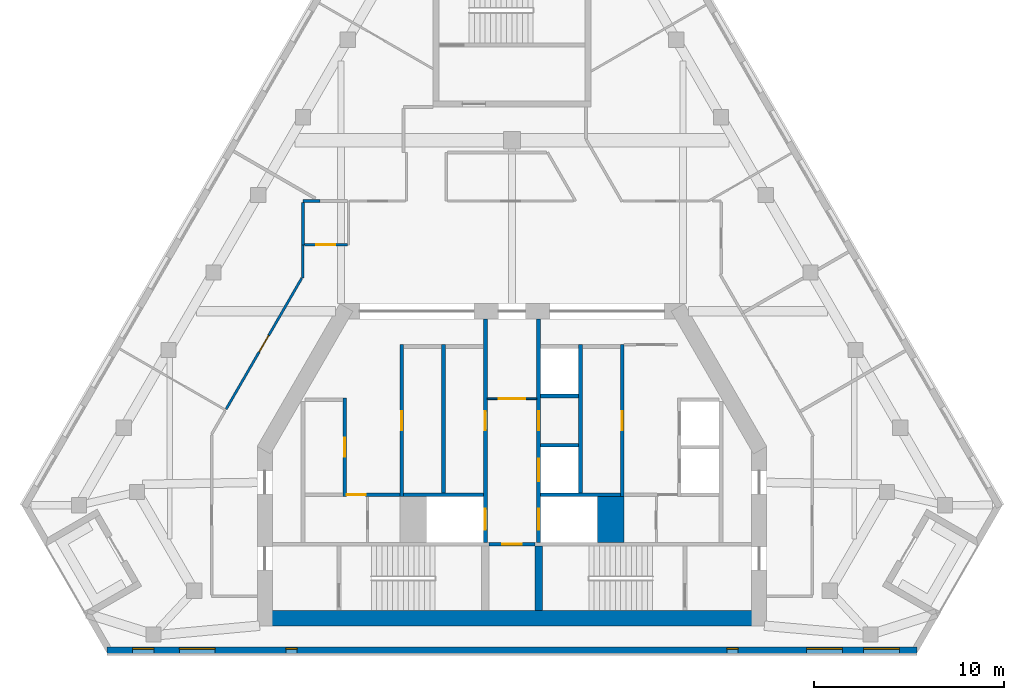
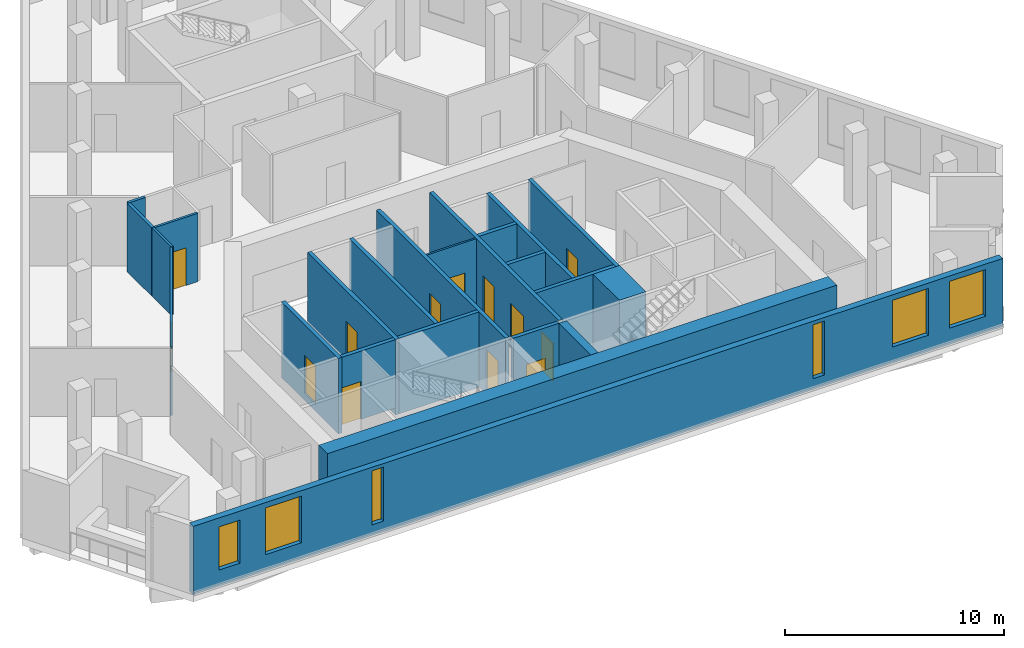
# One storey, part 3 of 8: 23 walls, 13 doors, 6 windows, 19 openings.
"""IFC4 building model written with IfcOpenShell, lengths in metres."""

import ifcopenshell
import ifcopenshell.guid

model = None  # the IFC model being written
_history = None  # IfcOwnerHistory: only IFC2X3 demands one
_inside = {}  # id of a spatial element -> (the spatial element, [elements in it])
_under = {}  # id of a project, library or spatial element -> (it, [spatial elements below it])
_declared = {}  # id of a project -> (the project, [libraries it declares])
_typed = {}  # id of a type object -> (the type object, [elements of that type])
_made_of = {}  # id of a material, layer set ... -> (it, [elements and type objects made of it])


def new_model(schema):
    """Start an empty IFC model of exactly this schema.

    Asked for "IFC4X3", IfcOpenShell would pick the latest addendum, in which some entities
    have other attributes; the version numbers below select the first issue.
    IFC2X3 requires an IfcOwnerHistory on every rooted entity: one is made here for all.
    """
    global model, _history
    if schema == "IFC4X3":
        model = ifcopenshell.file(schema_version=(4, 3, 0, 0))
    else:
        model = ifcopenshell.file(schema=schema)
    _inside.clear()
    _under.clear()
    _declared.clear()
    _typed.clear()
    _made_of.clear()
    _history = None
    if model.schema == "IFC2X3":
        org = make("IfcOrganization", Name="unknown")
        user = make(
            "IfcPersonAndOrganization",
            ThePerson=make("IfcPerson", FamilyName="unknown"),
            TheOrganization=org,
        )
        app = make(
            "IfcApplication",
            ApplicationDeveloper=org,
            Version="unknown",
            ApplicationFullName="unknown",
            ApplicationIdentifier="unknown",
        )
        _history = make(
            "IfcOwnerHistory",
            OwningUser=user,
            OwningApplication=app,
            ChangeAction="ADDED",
            CreationDate=0,
        )
    return model


def make(cls, **values):
    """One entity of the class cls with the attributes given. An attribute that is None is left unset."""
    return model.create_entity(
        cls, **{name: value for name, value in values.items() if value is not None}
    )


def rooted(cls, **values):
    """An entity with a GlobalId (a new one), such as an element, a storey or a relation."""
    return make(cls, GlobalId=ifcopenshell.guid.new(), OwnerHistory=_history, **values)


def si_unit(unit_type, name, prefix=None):
    """IfcSIUnit, for example si_unit("LENGTHUNIT", "METRE", prefix="MILLI")."""
    return make("IfcSIUnit", UnitType=unit_type, Prefix=prefix, Name=name)


def assignment(units):
    """IfcUnitAssignment: the units of a project."""
    return None if units is None else make("IfcUnitAssignment", Units=units)


def point(xyz):
    """IfcCartesianPoint."""
    return None if xyz is None else make("IfcCartesianPoint", Coordinates=xyz)


def direction(xyz):
    """IfcDirection."""
    return None if xyz is None else make("IfcDirection", DirectionRatios=xyz)


def frame(location, z_axis=None, x_axis=None):
    """IfcAxis2Placement3D, a coordinate frame: its origin and axes. An axis left out is left unset."""
    return make(
        "IfcAxis2Placement3D",
        Location=point(location),
        Axis=direction(z_axis),
        RefDirection=direction(x_axis),
    )


def frame_2d(location, x_axis=None):
    """IfcAxis2Placement2D, a coordinate frame in the plane: its origin and x axis."""
    return make(
        "IfcAxis2Placement2D", Location=point(location), RefDirection=direction(x_axis)
    )


def origin():
    """The frame at (0, 0, 0) with its axes left unset."""
    return frame((0.0, 0.0, 0.0))


def place(relative_to, where):
    """IfcLocalPlacement: puts the frame where relative to a parent placement (None: the world)."""
    return make(
        "IfcLocalPlacement", PlacementRelTo=relative_to, RelativePlacement=where
    )


def context(
    kind, dimensions, precision=None, world=None, true_north=None, identifier=None
):
    """IfcGeometricRepresentationContext, for example the 3D "Model" context."""
    return make(
        "IfcGeometricRepresentationContext",
        ContextIdentifier=identifier,
        ContextType=kind,
        CoordinateSpaceDimension=dimensions,
        Precision=precision,
        WorldCoordinateSystem=world,
        TrueNorth=true_north,
    )


def subcontext(parent, identifier, kind, view, scale=None):
    """IfcGeometricRepresentationSubContext, for example "Body" below "Model"."""
    return make(
        "IfcGeometricRepresentationSubContext",
        ContextIdentifier=identifier,
        ContextType=kind,
        ParentContext=parent,
        TargetScale=scale,
        TargetView=view,
    )


def project(units=None, contexts=None):
    """IfcProject with its units and contexts."""
    return rooted(
        "IfcProject",
        Name="project",
        RepresentationContexts=contexts,
        UnitsInContext=assignment(units),
    )


def spatial(cls, under=None, at=None, **own):
    """A site, building, storey or space (cls), placed at a placement, below another one or the project."""
    s = rooted(cls, ObjectPlacement=at, **own)
    if under is not None:
        _under.setdefault(under.id(), (under, []))[1].append(s)
    return s


def profile(cls, at=None, kind="AREA", **sizes):
    """A parametric profile (cls). Its sizes go by their IFC names, for example OverallWidth=200.0."""
    return make(cls, ProfileType=kind, Position=at, **sizes)


def rectangle(**sizes):
    """IfcRectangleProfileDef."""
    return profile("IfcRectangleProfileDef", **sizes)


def extrude(swept, where, along, depth):
    """IfcExtrudedAreaSolid: the profile swept, set in the frame where, extruded along a direction by depth."""
    return make(
        "IfcExtrudedAreaSolid",
        SweptArea=swept,
        Position=where,
        ExtrudedDirection=direction(along),
        Depth=depth,
    )


def shape(context_of_items, identifier, shape_type, items):
    """IfcShapeRepresentation: the items that make up one representation, for example the "Body"."""
    return make(
        "IfcShapeRepresentation",
        ContextOfItems=context_of_items,
        RepresentationIdentifier=identifier,
        RepresentationType=shape_type,
        Items=items,
    )


def material(Name=None, Category=None):
    """IfcMaterial."""
    return make("IfcMaterial", Name=Name, Category=Category)


def layer(
    of_material, thickness, ventilated=None, Name=None, Category=None, Priority=None
):
    """IfcMaterialLayer: one layer of a wall or slab, of a material (None: an air gap)."""
    return make(
        "IfcMaterialLayer",
        Material=of_material,
        LayerThickness=thickness,
        IsVentilated=ventilated,
        Name=Name,
        Category=Category,
        Priority=Priority,
    )


def layer_set(layers, Name=None):
    """IfcMaterialLayerSet."""
    return make("IfcMaterialLayerSet", MaterialLayers=layers, LayerSetName=Name)


def made_of(thing, what):
    """Note that an element or type object is made of a material, layer set ...; save() writes the relation."""
    if what is not None:
        _made_of.setdefault(what.id(), (what, []))[1].append(thing)
    return thing


def type_object(cls, material=None, **own):
    """A type object (cls), such as IfcWallType, which elements share."""
    return made_of(rooted(cls, **own), material)


def element(
    cls,
    number,
    at=None,
    inside=None,
    cuts=None,
    type_object=None,
    material=None,
    context=None,
    identifier="Body",
    shape_type=None,
    held_by="IfcProductDefinitionShape",
    body=None,
    shapes=None,
    **own,
):
    """One element of the class cls, such as IfcWall. Its Tag is "e" and its number.

    at: its placement. inside: the storey or other place that contains it. cuts: it is an
    opening in that element (IfcRelVoidsElement). A single representation is given by context,
    identifier, shape_type and body (its items); several are given by shapes. held_by: the class
    of the entity that holds the representations. save() writes the other relations.
    """
    e = rooted(cls, Tag="e%d" % number, ObjectPlacement=at, **own)
    if body is not None:
        shapes = [shape(context, identifier, shape_type, body)]
    if shapes is not None:
        e.Representation = make(held_by, Representations=shapes)
    if inside is not None:
        _inside.setdefault(inside.id(), (inside, []))[1].append(e)
    if cuts is not None:
        rooted(
            "IfcRelVoidsElement", RelatingBuildingElement=cuts, RelatedOpeningElement=e
        )
    if type_object is not None:
        _typed.setdefault(type_object.id(), (type_object, []))[1].append(e)
    return made_of(e, material)


def fill(opening, filler):
    """IfcRelFillsElement: the door or window that sits in an opening."""
    return rooted(
        "IfcRelFillsElement",
        RelatingOpeningElement=opening,
        RelatedBuildingElement=filler,
    )


def aggregate(whole, parts):
    """IfcRelAggregates: a whole, such as a stair, and the parts it consists of."""
    return rooted("IfcRelAggregates", RelatingObject=whole, RelatedObjects=parts)


def save(model, path):
    """Write the relations noted so far, then the file.

    IfcRelAggregates (storeys below a building ...), IfcRelContainedInSpatialStructure (elements
    in a storey), IfcRelDefinesByType, IfcRelAssociatesMaterial and IfcRelDeclares: one each for
    every whole, place, type object, material and project.
    """
    for whole, parts in _under.values():
        aggregate(whole, parts)
    for where, things in _inside.values():
        rooted(
            "IfcRelContainedInSpatialStructure",
            RelatedElements=things,
            RelatingStructure=where,
        )
    for kind, things in _typed.values():
        rooted("IfcRelDefinesByType", RelatedObjects=things, RelatingType=kind)
    for what, things in _made_of.values():
        rooted("IfcRelAssociatesMaterial", RelatedObjects=things, RelatingMaterial=what)
    for by, libraries in _declared.values():
        rooted("IfcRelDeclares", RelatingContext=by, RelatedDefinitions=libraries)
    model.write(path)


model = new_model("IFC4")

# Units and contexts
model_context = context("Model", 3, precision=1e-05, world=origin(), true_north=direction((0.0, 1.0)))
body_context = subcontext(model_context, "Body", "Model", "MODEL_VIEW")
ifc_project = project(units=[si_unit("LENGTHUNIT", "METRE"), si_unit("AREAUNIT", "SQUARE_METRE"), si_unit("VOLUMEUNIT", "CUBIC_METRE"), si_unit("PLANEANGLEUNIT", "RADIAN"), si_unit("MASSUNIT", "GRAM", prefix="KILO")], contexts=[model_context])

# Site, building, storey
site_placement = place(None, origin())
site = spatial("IfcSite", under=ifc_project, at=site_placement, CompositionType="ELEMENT")
building_placement = place(site_placement, origin())
building = spatial("IfcBuilding", under=site, at=building_placement, Name="Fogline Exchange Tower", CompositionType="ELEMENT")
storey_placement = place(building_placement, frame((0.0, 0.0, 270.89990234375)))
storey = spatial("IfcBuildingStorey", under=building, at=storey_placement, Name="L61", CompositionType="ELEMENT", Elevation=270.89990234375)

# Wall, opening, door
ifc_material_1 = material(Name="Blockwork partition", Category="masonry")
ifc_layer_1 = layer(ifc_material_1, 0.10009765625)
ifc_layer_set_1 = layer_set([ifc_layer_1], Name="CW10")
wall_type_1 = type_object("IfcWallType", Name="CW10", PredefinedType="PARTITIONING", material=ifc_layer_set_1)
wall_1_placement = place(storey_placement, frame((-1.300048828125, 13.39990234375, 0.0), z_axis=(0.0, 0.0, 1.0), x_axis=(1.0, 0.0, 0.0)))
wall_1 = element("IfcWall", 1, at=wall_1_placement, inside=storey, type_object=wall_type_1, Name="Lift lobby partition", PredefinedType="PARTITIONING", context=body_context, shape_type="SweptSolid", body=[
    extrude(rectangle(XDim=2.60009765625, YDim=0.10009765625, at=frame_2d((1.300048828125, 0.0))), origin(), (0.0, 0.0, 1.0), 3.800048828125),
])
opening_1_placement = place(wall_1_placement, frame((0.60009765625, 0.0, 0.0)))
opening_1 = element("IfcOpeningElement", 2, at=opening_1_placement, cuts=wall_1, Name="Opening T19-C018", PredefinedType="OPENING", context=body_context, shape_type="SweptSolid", body=[
    extrude(rectangle(XDim=1.39990234375, YDim=2.10009765625, at=frame_2d((0.699951171875, 1.050048828125))), frame((0.0, 0.06005859375, 0.0), z_axis=(0.0, -1.0, 0.0), x_axis=(1.0, 0.0, 0.0)), (0.0, 0.0, 1.0), 0.1201171875),
])
ifc_material_2 = material(Name="Steel and timber fire door", Category="steel")
door_type_1 = type_object("IfcDoorType", Name="D-LB1", OperationType="DOUBLE_DOOR_SINGLE_SWING", PredefinedType="DOOR", material=ifc_material_2)
door_1_placement = place(opening_1_placement, origin())
door_1 = element("IfcDoor", 3, at=door_1_placement, inside=storey, type_object=door_type_1, Name="Door to firefighting lift lobby", OperationType="DOUBLE_DOOR_SINGLE_SWING", OverallHeight=2.10009765625, OverallWidth=1.39990234375, PredefinedType="DOOR", context=body_context, shape_type="SweptSolid", body=[
    extrude(rectangle(XDim=1.39990234375, YDim=2.10009765625, at=frame_2d((0.699951171875, 1.050048828125))), frame((0.0, 0.02490234375, 0.0), z_axis=(0.0, -1.0, 0.0), x_axis=(1.0, 0.0, 0.0)), (0.0, 0.0, 1.0), 0.050048828125),
])
fill(opening_1, door_1)

# Wall
ifc_material_3 = material(Name="Concrete C60", Category="concrete")
ifc_layer_2 = layer(ifc_material_3, 1.39990234375)
ifc_layer_set_2 = layer_set([ifc_layer_2], Name="CW140")
wall_type_2 = type_object("IfcWallType", Name="CW140", PredefinedType="SOLIDWALL", material=ifc_layer_set_2)
wall_2_placement = place(storey_placement, frame((5.199951171875, 5.85009765625, -0.39990234375), z_axis=(0.0, 0.0, 1.0), x_axis=(0.0, 1.0, 0.0)))
element("IfcWall", 4, at=wall_2_placement, inside=storey, type_object=wall_type_2, Name="Lift shaft block wall", PredefinedType="SOLIDWALL", context=body_context, shape_type="SweptSolid", body=[
    extrude(rectangle(XDim=2.39990234375, YDim=1.39990234375, at=frame_2d((1.199951171875, 0.0))), origin(), (0.0, 0.0, 1.0), 4.199951171875),
])

# Wall, opening, door
ifc_material_4 = material(Name="Concrete C40", Category="concrete")
ifc_layer_3 = layer(ifc_material_4, 0.199951171875)
ifc_layer_set_3 = layer_set([ifc_layer_3], Name="CW20")
wall_type_3 = type_object("IfcWallType", Name="CW20", PredefinedType="SOLIDWALL", material=ifc_layer_set_3)
wall_3_placement = place(storey_placement, frame((-8.699951171875, 8.35009765625, 0.0), z_axis=(0.0, 0.0, 1.0), x_axis=(1.0, 0.0, 0.0)))
wall_3 = element("IfcWall", 5, at=wall_3_placement, inside=storey, type_object=wall_type_3, Name="WC wall", PredefinedType="SOLIDWALL", context=body_context, shape_type="SweptSolid", body=[
    extrude(rectangle(XDim=2.800048828125, YDim=0.199951171875, at=frame_2d((1.39990234375, 0.0))), origin(), (0.0, 0.0, 1.0), 3.800048828125),
])
opening_2_placement = place(wall_3_placement, origin())
opening_2 = element("IfcOpeningElement", 6, at=opening_2_placement, cuts=wall_3, Name="Opening T19-C007", PredefinedType="OPENING", context=body_context, shape_type="SweptSolid", body=[
    extrude(rectangle(XDim=1.0, YDim=2.10009765625, at=frame_2d((0.5, 1.050048828125))), frame((0.0, 0.10986328125, 0.0), z_axis=(0.0, -1.0, 0.0), x_axis=(1.0, 0.0, 0.0)), (0.0, 0.0, 1.0), 0.219970703125),
])
door_type_2 = type_object("IfcDoorType", Name="D-WC1", OperationType="SINGLE_SWING_LEFT", PredefinedType="DOOR", material=ifc_material_2)
door_2_placement = place(opening_2_placement, frame((1.0, 0.0, 0.0), z_axis=(0.0, 0.0, 1.0), x_axis=(-1.0, 0.0, 0.0)))
door_2 = element("IfcDoor", 7, at=door_2_placement, inside=storey, type_object=door_type_2, Name="Door to Men's WC", OperationType="SINGLE_SWING_LEFT", OverallHeight=2.10009765625, OverallWidth=1.0, PredefinedType="DOOR", context=body_context, shape_type="SweptSolid", body=[
    extrude(rectangle(XDim=1.0, YDim=2.10009765625, at=frame_2d((0.5, 1.050048828125))), frame((0.0, 0.02490234375, 0.0), z_axis=(0.0, -1.0, 0.0), x_axis=(1.0, 0.0, 0.0)), (0.0, 0.0, 1.0), 0.050048828125),
])
fill(opening_2, door_2)

ifc_layer_4 = layer(ifc_material_4, 0.199951171875)
ifc_layer_set_4 = layer_set([ifc_layer_4], Name="CW20R")
wall_type_4 = type_object("IfcWallType", Name="CW20R", PredefinedType="SOLIDWALL", material=ifc_layer_set_4)
wall_4_placement = place(storey_placement, frame((-1.199951171875, 5.75, -0.39990234375), z_axis=(0.0, 0.0, 1.0), x_axis=(1.0, 0.0, 0.0)))
wall_4 = element("IfcWall", 8, at=wall_4_placement, inside=storey, type_object=wall_type_4, Name="Stair enclosure wall", PredefinedType="SOLIDWALL", context=body_context, shape_type="SweptSolid", body=[
    extrude(rectangle(XDim=2.39990234375, YDim=0.199951171875, at=frame_2d((1.199951171875, 0.0))), origin(), (0.0, 0.0, 1.0), 4.199951171875),
])
opening_3_placement = place(wall_4_placement, frame((0.699951171875, 0.0, 0.39990234375)))
opening_3 = element("IfcOpeningElement", 9, at=opening_3_placement, cuts=wall_4, Name="Opening T19-C006", PredefinedType="OPENING", context=body_context, shape_type="SweptSolid", body=[
    extrude(rectangle(XDim=1.0, YDim=2.10009765625, at=frame_2d((0.5, 1.050048828125))), frame((0.0, 0.10986328125, 0.0), z_axis=(0.0, -1.0, 0.0), x_axis=(1.0, 0.0, 0.0)), (0.0, 0.0, 1.0), 0.219970703125),
])
door_type_3 = type_object("IfcDoorType", Name="D-RM1", OperationType="SINGLE_SWING_LEFT", PredefinedType="DOOR", material=ifc_material_2)
door_3_placement = place(opening_3_placement, frame((1.0, 0.0, 0.0), z_axis=(0.0, 0.0, 1.0), x_axis=(-1.0, 0.0, 0.0)))
door_3 = element("IfcDoor", 10, at=door_3_placement, inside=storey, type_object=door_type_3, Name="Door to Archive Store", OperationType="SINGLE_SWING_RIGHT", OverallHeight=2.10009765625, OverallWidth=1.0, PredefinedType="DOOR", context=body_context, shape_type="SweptSolid", body=[
    extrude(rectangle(XDim=1.0, YDim=2.10009765625, at=frame_2d((0.5, 1.050048828125))), frame((0.0, 0.02490234375, 0.0), z_axis=(0.0, -1.0, 0.0), x_axis=(1.0, 0.0, 0.0)), (0.0, 0.0, 1.0), 0.050048828125),
])
fill(opening_3, door_3)

ifc_layer_5 = layer(ifc_material_4, 0.199951171875)
ifc_layer_set_5 = layer_set([ifc_layer_5], Name="CW20S")
wall_type_5 = type_object("IfcWallType", Name="CW20S", PredefinedType="SOLIDWALL", material=ifc_layer_set_5)
wall_5_placement = place(storey_placement, frame((-8.800048828125, 8.25, -0.39990234375), z_axis=(0.0, 0.0, 1.0), x_axis=(0.0, 1.0, 0.0)))
wall_5 = element("IfcWall", 11, at=wall_5_placement, inside=storey, type_object=wall_type_5, Name="Lift shaft wall", PredefinedType="SOLIDWALL", context=body_context, shape_type="SweptSolid", body=[
    extrude(rectangle(XDim=5.199951171875, YDim=0.199951171875, at=frame_2d((2.60009765625, 0.0))), origin(), (0.0, 0.0, 1.0), 4.199951171875),
])
opening_4_placement = place(wall_5_placement, frame((2.10009765625, 0.0, 0.39990234375)))
opening_4 = element("IfcOpeningElement", 12, at=opening_4_placement, cuts=wall_5, Name="Opening T19-C001", PredefinedType="OPENING", context=body_context, shape_type="SweptSolid", body=[
    extrude(rectangle(XDim=1.0, YDim=2.10009765625, at=frame_2d((0.5, 1.050048828125))), frame((0.0, 0.10986328125, 0.0), z_axis=(0.0, -1.0, 0.0), x_axis=(1.0, 0.0, 0.0)), (0.0, 0.0, 1.0), 0.219970703125),
])
door_4_placement = place(opening_4_placement, origin())
door_4 = element("IfcDoor", 13, at=door_4_placement, inside=storey, type_object=door_type_3, Name="Door to Reprographics Room", OperationType="SINGLE_SWING_RIGHT", OverallHeight=2.10009765625, OverallWidth=1.0, PredefinedType="DOOR", context=body_context, shape_type="SweptSolid", body=[
    extrude(rectangle(XDim=1.0, YDim=2.10009765625, at=frame_2d((0.5, 1.050048828125))), frame((0.0, 0.02490234375, 0.0), z_axis=(0.0, -1.0, 0.0), x_axis=(1.0, 0.0, 0.0)), (0.0, 0.0, 1.0), 0.050048828125),
])
fill(opening_4, door_4)

wall_6_placement = place(storey_placement, frame((-5.800048828125, 8.25, -0.39990234375), z_axis=(0.0, 0.0, 1.0), x_axis=(0.0, 1.0, 0.0)))
wall_6 = element("IfcWall", 14, at=wall_6_placement, inside=storey, type_object=wall_type_5, Name="Lift shaft wall", PredefinedType="SOLIDWALL", context=body_context, shape_type="SweptSolid", body=[
    extrude(rectangle(XDim=8.0, YDim=0.199951171875, at=frame_2d((4.0, 0.0))), origin(), (0.0, 0.0, 1.0), 4.199951171875),
])
opening_5_placement = place(wall_6_placement, frame((3.5, 0.0, 0.39990234375)))
opening_5 = element("IfcOpeningElement", 15, at=opening_5_placement, cuts=wall_6, Name="Opening T19-C002", PredefinedType="OPENING", context=body_context, shape_type="SweptSolid", body=[
    extrude(rectangle(XDim=1.0, YDim=2.10009765625, at=frame_2d((0.5, 1.050048828125))), frame((0.0, 0.10986328125, 0.0), z_axis=(0.0, -1.0, 0.0), x_axis=(1.0, 0.0, 0.0)), (0.0, 0.0, 1.0), 0.219970703125),
])
door_5_placement = place(opening_5_placement, frame((1.0, 0.0, 0.0), z_axis=(0.0, 0.0, 1.0), x_axis=(-1.0, 0.0, 0.0)))
door_5 = element("IfcDoor", 16, at=door_5_placement, inside=storey, type_object=door_type_3, Name="Door to Plant Room", OperationType="SINGLE_SWING_RIGHT", OverallHeight=2.10009765625, OverallWidth=1.0, PredefinedType="DOOR", context=body_context, shape_type="SweptSolid", body=[
    extrude(rectangle(XDim=1.0, YDim=2.10009765625, at=frame_2d((0.5, 1.050048828125))), frame((0.0, 0.02490234375, 0.0), z_axis=(0.0, -1.0, 0.0), x_axis=(1.0, 0.0, 0.0)), (0.0, 0.0, 1.0), 0.050048828125),
])
fill(opening_5, door_5)

wall_7_placement = place(storey_placement, frame((5.800048828125, 8.25, -0.39990234375), z_axis=(0.0, 0.0, 1.0), x_axis=(0.0, 1.0, 0.0)))
wall_7 = element("IfcWall", 17, at=wall_7_placement, inside=storey, type_object=wall_type_5, Name="Lift shaft wall", PredefinedType="SOLIDWALL", context=body_context, shape_type="SweptSolid", body=[
    extrude(rectangle(XDim=8.0, YDim=0.199951171875, at=frame_2d((4.0, 0.0))), origin(), (0.0, 0.0, 1.0), 4.199951171875),
])
opening_6_placement = place(wall_7_placement, frame((3.5, 0.0, 0.39990234375)))
opening_6 = element("IfcOpeningElement", 18, at=opening_6_placement, cuts=wall_7, Name="Opening T19-C004", PredefinedType="OPENING", context=body_context, shape_type="SweptSolid", body=[
    extrude(rectangle(XDim=1.0, YDim=2.10009765625, at=frame_2d((0.5, 1.050048828125))), frame((0.0, 0.10986328125, 0.0), z_axis=(0.0, -1.0, 0.0), x_axis=(1.0, 0.0, 0.0)), (0.0, 0.0, 1.0), 0.219970703125),
])
door_6_placement = place(opening_6_placement, origin())
door_6 = element("IfcDoor", 19, at=door_6_placement, inside=storey, type_object=door_type_3, Name="Door to Client Meeting Room", OperationType="SINGLE_SWING_LEFT", OverallHeight=2.10009765625, OverallWidth=1.0, PredefinedType="DOOR", context=body_context, shape_type="SweptSolid", body=[
    extrude(rectangle(XDim=1.0, YDim=2.10009765625, at=frame_2d((0.5, 1.050048828125))), frame((0.0, 0.02490234375, 0.0), z_axis=(0.0, -1.0, 0.0), x_axis=(1.0, 0.0, 0.0)), (0.0, 0.0, 1.0), 0.050048828125),
])
fill(opening_6, door_6)

# Walls
for number, where, z_axis, x_axis, name in (
    (20, (-3.60009765625, 8.449951171875, -0.39990234375), (0.0, 0.0, 1.0), (0.0, 1.0, 0.0), "Lift shaft wall"),
    (21, (3.60009765625, 8.449951171875, -0.39990234375), (0.0, 0.0, 1.0), (0.0, 1.0, 0.0), "Lift shaft wall"),
):
    element("IfcWall", number, at=place(storey_placement, frame(where, z_axis=z_axis, x_axis=x_axis)), inside=storey, type_object=wall_type_5, Name=name, PredefinedType="SOLIDWALL", context=body_context, shape_type="SweptSolid", body=[
        extrude(rectangle(XDim=7.800048828125, YDim=0.199951171875, at=frame_2d((3.89990234375, 0.0))), origin(), (0.0, 0.0, 1.0), 4.199951171875),
    ])

# Wall, openings, doors
wall_8_placement = place(storey_placement, frame((-1.39990234375, 5.85009765625, -0.39990234375), z_axis=(0.0, 0.0, 1.0), x_axis=(0.0, 1.0, 0.0)))
wall_8 = element("IfcWall", 22, at=wall_8_placement, inside=storey, type_object=wall_type_5, Name="Lift lobby wall", PredefinedType="SOLIDWALL", context=body_context, shape_type="SweptSolid", body=[
    extrude(rectangle(XDim=11.75, YDim=0.199951171875, at=frame_2d((5.875, 0.0))), origin(), (0.0, 0.0, 1.0), 4.199951171875),
])
opening_7_placement = place(wall_8_placement, frame((0.64990234375, 0.0, 0.39990234375)))
opening_7 = element("IfcOpeningElement", 23, at=opening_7_placement, cuts=wall_8, Name="Opening T19-LD01", PredefinedType="OPENING", context=body_context, shape_type="SweptSolid", body=[
    extrude(rectangle(XDim=1.10009765625, YDim=2.10009765625, at=frame_2d((0.550048828125, 1.050048828125))), frame((0.0, 0.10986328125, 0.0), z_axis=(0.0, -1.0, 0.0), x_axis=(1.0, 0.0, 0.0)), (0.0, 0.0, 1.0), 0.219970703125),
])
opening_8_placement = place(wall_8_placement, frame((5.89990234375, 0.0, 0.39990234375)))
opening_8 = element("IfcOpeningElement", 24, at=opening_8_placement, cuts=wall_8, Name="Opening T19-C003", PredefinedType="OPENING", context=body_context, shape_type="SweptSolid", body=[
    extrude(rectangle(XDim=1.0, YDim=2.10009765625, at=frame_2d((0.5, 1.050048828125))), frame((0.0, 0.10986328125, 0.0), z_axis=(0.0, -1.0, 0.0), x_axis=(1.0, 0.0, 0.0)), (0.0, 0.0, 1.0), 0.219970703125),
])
door_7_placement = place(opening_8_placement, origin())
door_7 = element("IfcDoor", 25, at=door_7_placement, inside=storey, type_object=door_type_3, Name="Door to Archive", OperationType="SINGLE_SWING_LEFT", OverallHeight=2.10009765625, OverallWidth=1.0, PredefinedType="DOOR", context=body_context, shape_type="SweptSolid", body=[
    extrude(rectangle(XDim=1.0, YDim=2.10009765625, at=frame_2d((0.5, 1.050048828125))), frame((0.0, 0.02490234375, 0.0), z_axis=(0.0, -1.0, 0.0), x_axis=(1.0, 0.0, 0.0)), (0.0, 0.0, 1.0), 0.050048828125),
])
fill(opening_8, door_7)
door_type_4 = type_object("IfcDoorType", Name="LD2", OperationType="SLIDING_TO_RIGHT", PredefinedType="DOOR", material=ifc_material_2)
door_8_placement = place(opening_7_placement, origin())
door_8 = element("IfcDoor", 26, at=door_8_placement, inside=storey, type_object=door_type_4, Name="Landing door FF1", OperationType="SLIDING_TO_RIGHT", OverallHeight=2.10009765625, OverallWidth=1.10009765625, PredefinedType="DOOR", context=body_context, shape_type="SweptSolid", body=[
    extrude(rectangle(XDim=1.10009765625, YDim=2.10009765625, at=frame_2d((0.550048828125, 1.050048828125))), frame((0.0, 0.02490234375, 0.0), z_axis=(0.0, -1.0, 0.0), x_axis=(1.0, 0.0, 0.0)), (0.0, 0.0, 1.0), 0.050048828125),
])
fill(opening_7, door_8)

wall_9_placement = place(storey_placement, frame((1.39990234375, 5.85009765625, -0.39990234375), z_axis=(0.0, 0.0, 1.0), x_axis=(0.0, 1.0, 0.0)))
wall_9 = element("IfcWall", 27, at=wall_9_placement, inside=storey, type_object=wall_type_5, Name="Lift lobby wall", PredefinedType="SOLIDWALL", context=body_context, shape_type="SweptSolid", body=[
    extrude(rectangle(XDim=11.75, YDim=0.199951171875, at=frame_2d((5.875, 0.0))), origin(), (0.0, 0.0, 1.0), 4.199951171875),
])
opening_9_placement = place(wall_9_placement, frame((3.199951171875, 0.0, 0.39990234375)))
opening_9 = element("IfcOpeningElement", 28, at=opening_9_placement, cuts=wall_9, Name="Opening T19-LD04", PredefinedType="OPENING", context=body_context, shape_type="SweptSolid", body=[
    extrude(rectangle(XDim=1.199951171875, YDim=2.10009765625, at=frame_2d((0.60009765625, 1.050048828125))), frame((0.0, 0.10986328125, 0.0), z_axis=(0.0, -1.0, 0.0), x_axis=(1.0, 0.0, 0.0)), (0.0, 0.0, 1.0), 0.219970703125),
])
opening_10_placement = place(wall_9_placement, frame((0.64990234375, 0.0, 0.39990234375)))
opening_10 = element("IfcOpeningElement", 29, at=opening_10_placement, cuts=wall_9, Name="Opening T19-LD05", PredefinedType="OPENING", context=body_context, shape_type="SweptSolid", body=[
    extrude(rectangle(XDim=1.10009765625, YDim=2.10009765625, at=frame_2d((0.550048828125, 1.050048828125))), frame((0.0, 0.10986328125, 0.0), z_axis=(0.0, -1.0, 0.0), x_axis=(1.0, 0.0, 0.0)), (0.0, 0.0, 1.0), 0.219970703125),
])
opening_11_placement = place(wall_9_placement, frame((5.89990234375, 0.0, 0.39990234375)))
opening_11 = element("IfcOpeningElement", 30, at=opening_11_placement, cuts=wall_9, Name="Opening T19-C005", PredefinedType="OPENING", context=body_context, shape_type="SweptSolid", body=[
    extrude(rectangle(XDim=1.0, YDim=2.10009765625, at=frame_2d((0.5, 1.050048828125))), frame((0.0, 0.10986328125, 0.0), z_axis=(0.0, -1.0, 0.0), x_axis=(1.0, 0.0, 0.0)), (0.0, 0.0, 1.0), 0.219970703125),
])
door_9_placement = place(opening_11_placement, frame((1.0, 0.0, 0.0), z_axis=(0.0, 0.0, 1.0), x_axis=(-1.0, 0.0, 0.0)))
door_9 = element("IfcDoor", 31, at=door_9_placement, inside=storey, type_object=door_type_3, Name="Door to Stationery Store", OperationType="SINGLE_SWING_RIGHT", OverallHeight=2.10009765625, OverallWidth=1.0, PredefinedType="DOOR", context=body_context, shape_type="SweptSolid", body=[
    extrude(rectangle(XDim=1.0, YDim=2.10009765625, at=frame_2d((0.5, 1.050048828125))), frame((0.0, 0.02490234375, 0.0), z_axis=(0.0, -1.0, 0.0), x_axis=(1.0, 0.0, 0.0)), (0.0, 0.0, 1.0), 0.050048828125),
])
fill(opening_11, door_9)
door_type_5 = type_object("IfcDoorType", Name="LD1", OperationType="SLIDING_TO_LEFT", PredefinedType="DOOR", material=ifc_material_2)
door_10_placement = place(opening_9_placement, origin())
door_10 = element("IfcDoor", 32, at=door_10_placement, inside=storey, type_object=door_type_5, Name="Landing door HR3", OperationType="SLIDING_TO_LEFT", OverallHeight=2.10009765625, OverallWidth=1.199951171875, PredefinedType="DOOR", context=body_context, shape_type="SweptSolid", body=[
    extrude(rectangle(XDim=1.199951171875, YDim=2.10009765625, at=frame_2d((0.60009765625, 1.050048828125))), frame((0.0, 0.02490234375, 0.0), z_axis=(0.0, -1.0, 0.0), x_axis=(1.0, 0.0, 0.0)), (0.0, 0.0, 1.0), 0.050048828125),
])
fill(opening_9, door_10)
door_11_placement = place(opening_10_placement, origin())
door_11 = element("IfcDoor", 33, at=door_11_placement, inside=storey, type_object=door_type_4, Name="Landing door FF2", OperationType="SLIDING_TO_RIGHT", OverallHeight=2.10009765625, OverallWidth=1.10009765625, PredefinedType="DOOR", context=body_context, shape_type="SweptSolid", body=[
    extrude(rectangle(XDim=1.10009765625, YDim=2.10009765625, at=frame_2d((0.550048828125, 1.050048828125))), frame((0.0, 0.02490234375, 0.0), z_axis=(0.0, -1.0, 0.0), x_axis=(1.0, 0.0, 0.0)), (0.0, 0.0, 1.0), 0.050048828125),
])
fill(opening_10, door_11)

# Walls
for number, where, z_axis, x_axis, name in (
    (34, (-5.699951171875, 8.35009765625, -0.39990234375), (0.0, 0.0, 1.0), (1.0, 0.0, 0.0), "Lift shaft wall"),
    (35, (1.5, 8.35009765625, -0.39990234375), (0.0, 0.0, 1.0), (1.0, 0.0, 0.0), "Lift shaft wall"),
):
    element("IfcWall", number, at=place(storey_placement, frame(where, z_axis=z_axis, x_axis=x_axis)), inside=storey, type_object=wall_type_5, Name=name, PredefinedType="SOLIDWALL", context=body_context, shape_type="SweptSolid", body=[
        extrude(rectangle(XDim=4.199951171875, YDim=0.199951171875, at=frame_2d((2.10009765625, 0.0))), origin(), (0.0, 0.0, 1.0), 4.199951171875),
    ])
for number, where, z_axis, x_axis, name in (
    (36, (1.5, 10.949951171875, -0.39990234375), (0.0, 0.0, 1.0), (1.0, 0.0, 0.0), "Lift shaft wall"),
    (37, (1.5, 13.550048828125, -0.39990234375), (0.0, 0.0, 1.0), (1.0, 0.0, 0.0), "Lift shaft wall"),
):
    element("IfcWall", number, at=place(storey_placement, frame(where, z_axis=z_axis, x_axis=x_axis)), inside=storey, type_object=wall_type_5, Name=name, PredefinedType="SOLIDWALL", context=body_context, shape_type="SweptSolid", body=[
        extrude(rectangle(XDim=2.0, YDim=0.199951171875, at=frame_2d((1.0, 0.0))), origin(), (0.0, 0.0, 1.0), 4.199951171875),
    ])
ifc_layer_6 = layer(ifc_material_4, 0.39990234375)
ifc_layer_set_6 = layer_set([ifc_layer_6], Name="CW40R")
wall_type_6 = type_object("IfcWallType", Name="CW40R", PredefinedType="SOLIDWALL", material=ifc_layer_set_6)
wall_10_placement = place(storey_placement, frame((1.39990234375, 2.25, -0.39990234375), z_axis=(0.0, 0.0, 1.0), x_axis=(0.0, 1.0, 0.0)))
element("IfcWall", 38, at=wall_10_placement, inside=storey, type_object=wall_type_6, Name="Stair and lift shaft wall", PredefinedType="SOLIDWALL", context=body_context, shape_type="SweptSolid", body=[
    extrude(rectangle(XDim=3.39990234375, YDim=0.39990234375, at=frame_2d((1.699951171875, 0.0))), origin(), (0.0, 0.0, 1.0), 4.199951171875),
])

# Wall, openings, windows
ifc_material_5 = material(Name="Brick masonry", Category="masonry")
ifc_layer_7 = layer(ifc_material_5, 0.340087890625)
ifc_layer_set_7 = layer_set([ifc_layer_7], Name="FW1")
wall_type_7 = type_object("IfcWallType", Name="FW1", PredefinedType="SOLIDWALL", material=ifc_layer_set_7)
wall_11_placement = place(storey_placement, frame((-21.296875, 0.169921875, 0.0), z_axis=(0.0, 0.0, 1.0), x_axis=(1.0, 0.0, 0.0)))
wall_11 = element("IfcWall", 39, at=wall_11_placement, inside=storey, type_object=wall_type_7, Name="Brick wall L61 S", PredefinedType="SOLIDWALL", context=body_context, shape_type="SweptSolid", body=[
    extrude(rectangle(XDim=42.59375, YDim=0.340087890625, at=frame_2d((21.296875, 0.0))), origin(), (0.0, 0.0, 1.0), 3.800048828125),
])
opening_12_placement = place(wall_11_placement, frame((3.796875, 0.0, 0.89990234375)))
opening_12 = element("IfcOpeningElement", 40, at=opening_12_placement, cuts=wall_11, Name="Opening W3", PredefinedType="OPENING", context=body_context, shape_type="SweptSolid", body=[
    extrude(rectangle(XDim=1.885009765625, YDim=2.60009765625, at=frame_2d((0.9423828125, 1.300048828125))), frame((0.0, 0.18017578125, 0.0), z_axis=(0.0, -1.0, 0.0), x_axis=(1.0, 0.0, 0.0)), (0.0, 0.0, 1.0), 0.360107421875),
])
opening_13_placement = place(wall_11_placement, frame((36.796875, 0.0, 0.89990234375)))
opening_13 = element("IfcOpeningElement", 41, at=opening_13_placement, cuts=wall_11, Name="Opening W3", PredefinedType="OPENING", context=body_context, shape_type="SweptSolid", body=[
    extrude(rectangle(XDim=1.885009765625, YDim=2.60009765625, at=frame_2d((0.9423828125, 1.300048828125))), frame((0.0, 0.18017578125, 0.0), z_axis=(0.0, -1.0, 0.0), x_axis=(1.0, 0.0, 0.0)), (0.0, 0.0, 1.0), 0.360107421875),
])
opening_14_placement = place(wall_11_placement, frame((39.796875, 0.0, 0.89990234375)))
opening_14 = element("IfcOpeningElement", 42, at=opening_14_placement, cuts=wall_11, Name="Opening W3", PredefinedType="OPENING", context=body_context, shape_type="SweptSolid", body=[
    extrude(rectangle(XDim=1.885009765625, YDim=2.60009765625, at=frame_2d((0.9423828125, 1.300048828125))), frame((0.0, 0.18017578125, 0.0), z_axis=(0.0, -1.0, 0.0), x_axis=(1.0, 0.0, 0.0)), (0.0, 0.0, 1.0), 0.360107421875),
])
opening_15_placement = place(wall_11_placement, frame((1.341064453125, 0.0, 0.89990234375)))
opening_15 = element("IfcOpeningElement", 43, at=opening_15_placement, cuts=wall_11, Name="Opening W4", PredefinedType="OPENING", context=body_context, shape_type="SweptSolid", body=[
    extrude(rectangle(XDim=1.114990234375, YDim=2.39990234375, at=frame_2d((0.5576171875, 1.199951171875))), frame((0.0, 0.18017578125, 0.0), z_axis=(0.0, -1.0, 0.0), x_axis=(1.0, 0.0, 0.0)), (0.0, 0.0, 1.0), 0.360107421875),
])
opening_16_placement = place(wall_11_placement, frame((9.39697265625, 0.0, 0.60009765625)))
opening_16 = element("IfcOpeningElement", 44, at=opening_16_placement, cuts=wall_11, Name="Opening W5", PredefinedType="OPENING", context=body_context, shape_type="SweptSolid", body=[
    extrude(rectangle(XDim=0.60009765625, YDim=3.0, at=frame_2d((0.300048828125, 1.5))), frame((0.0, 0.18017578125, 0.0), z_axis=(0.0, -1.0, 0.0), x_axis=(1.0, 0.0, 0.0)), (0.0, 0.0, 1.0), 0.360107421875),
])
opening_17_placement = place(wall_11_placement, frame((32.596923828125, 0.0, 0.60009765625)))
opening_17 = element("IfcOpeningElement", 45, at=opening_17_placement, cuts=wall_11, Name="Opening W5", PredefinedType="OPENING", context=body_context, shape_type="SweptSolid", body=[
    extrude(rectangle(XDim=0.60009765625, YDim=3.0, at=frame_2d((0.300048828125, 1.5))), frame((0.0, 0.18017578125, 0.0), z_axis=(0.0, -1.0, 0.0), x_axis=(1.0, 0.0, 0.0)), (0.0, 0.0, 1.0), 0.360107421875),
])
ifc_material_6 = material(Name="Aluminium and glass", Category="aluminium")
window_type_1 = type_object("IfcWindowType", Name="W3", PartitioningType="SINGLE_PANEL", PredefinedType="WINDOW", material=ifc_material_6)
window_1_placement = place(opening_12_placement, origin())
window_1 = element("IfcWindow", 46, at=window_1_placement, inside=storey, type_object=window_type_1, Name="W3 W3", OverallHeight=2.60009765625, OverallWidth=1.885009765625, PartitioningType="SINGLE_PANEL", PredefinedType="WINDOW", context=body_context, shape_type="SweptSolid", body=[
    extrude(rectangle(XDim=1.885009765625, YDim=2.60009765625, at=frame_2d((0.9423828125, 1.300048828125))), frame((0.0, 0.110107421875, 0.0), z_axis=(0.0, -1.0, 0.0), x_axis=(1.0, 0.0, 0.0)), (0.0, 0.0, 1.0), 0.06005859375),
])
fill(opening_12, window_1)
window_2_placement = place(opening_13_placement, origin())
window_2 = element("IfcWindow", 47, at=window_2_placement, inside=storey, type_object=window_type_1, Name="W3 W3", OverallHeight=2.60009765625, OverallWidth=1.885009765625, PartitioningType="SINGLE_PANEL", PredefinedType="WINDOW", context=body_context, shape_type="SweptSolid", body=[
    extrude(rectangle(XDim=1.885009765625, YDim=2.60009765625, at=frame_2d((0.9423828125, 1.300048828125))), frame((0.0, 0.110107421875, 0.0), z_axis=(0.0, -1.0, 0.0), x_axis=(1.0, 0.0, 0.0)), (0.0, 0.0, 1.0), 0.06005859375),
])
fill(opening_13, window_2)
window_3_placement = place(opening_14_placement, origin())
window_3 = element("IfcWindow", 48, at=window_3_placement, inside=storey, type_object=window_type_1, Name="W3 W3", OverallHeight=2.60009765625, OverallWidth=1.885009765625, PartitioningType="SINGLE_PANEL", PredefinedType="WINDOW", context=body_context, shape_type="SweptSolid", body=[
    extrude(rectangle(XDim=1.885009765625, YDim=2.60009765625, at=frame_2d((0.9423828125, 1.300048828125))), frame((0.0, 0.110107421875, 0.0), z_axis=(0.0, -1.0, 0.0), x_axis=(1.0, 0.0, 0.0)), (0.0, 0.0, 1.0), 0.06005859375),
])
fill(opening_14, window_3)
window_type_2 = type_object("IfcWindowType", Name="W4", PartitioningType="SINGLE_PANEL", PredefinedType="WINDOW", material=ifc_material_6)
window_4_placement = place(opening_15_placement, origin())
window_4 = element("IfcWindow", 49, at=window_4_placement, inside=storey, type_object=window_type_2, Name="W4 W4", OverallHeight=2.39990234375, OverallWidth=1.114990234375, PartitioningType="SINGLE_PANEL", PredefinedType="WINDOW", context=body_context, shape_type="SweptSolid", body=[
    extrude(rectangle(XDim=1.114990234375, YDim=2.39990234375, at=frame_2d((0.5576171875, 1.199951171875))), frame((0.0, 0.110107421875, 0.0), z_axis=(0.0, -1.0, 0.0), x_axis=(1.0, 0.0, 0.0)), (0.0, 0.0, 1.0), 0.06005859375),
])
fill(opening_15, window_4)
window_type_3 = type_object("IfcWindowType", Name="W5", PartitioningType="SINGLE_PANEL", PredefinedType="WINDOW", material=ifc_material_6)
window_5_placement = place(opening_16_placement, origin())
window_5 = element("IfcWindow", 50, at=window_5_placement, inside=storey, type_object=window_type_3, Name="W5 W5", OverallHeight=3.0, OverallWidth=0.60009765625, PartitioningType="SINGLE_PANEL", PredefinedType="WINDOW", context=body_context, shape_type="SweptSolid", body=[
    extrude(rectangle(XDim=0.60009765625, YDim=3.0, at=frame_2d((0.300048828125, 1.5))), frame((0.0, 0.110107421875, 0.0), z_axis=(0.0, -1.0, 0.0), x_axis=(1.0, 0.0, 0.0)), (0.0, 0.0, 1.0), 0.06005859375),
])
fill(opening_16, window_5)
window_6_placement = place(opening_17_placement, origin())
window_6 = element("IfcWindow", 51, at=window_6_placement, inside=storey, type_object=window_type_3, Name="W5 W5", OverallHeight=3.0, OverallWidth=0.60009765625, PartitioningType="SINGLE_PANEL", PredefinedType="WINDOW", context=body_context, shape_type="SweptSolid", body=[
    extrude(rectangle(XDim=0.60009765625, YDim=3.0, at=frame_2d((0.300048828125, 1.5))), frame((0.0, 0.110107421875, 0.0), z_axis=(0.0, -1.0, 0.0), x_axis=(1.0, 0.0, 0.0)), (0.0, 0.0, 1.0), 0.06005859375),
])
fill(opening_17, window_6)

# Wall, opening, door
ifc_material_7 = material(Name="Plasterboard corridor partition with mineral wool, 2 layers each side")
ifc_layer_8 = layer(ifc_material_7, 0.125)
ifc_layer_set_8 = layer_set([ifc_layer_8], Name="PW2")
wall_type_8 = type_object("IfcWallType", Name="PW2", PredefinedType="PARTITIONING", material=ifc_layer_set_8)
wall_12_placement = place(storey_placement, frame((-10.925048828125, 21.5, 0.0), z_axis=(0.0, 0.0, 1.0), x_axis=(1.0, 0.0, 0.0)))
wall_12 = element("IfcWall", 52, at=wall_12_placement, inside=storey, type_object=wall_type_8, Name="wall-L61-W011", PredefinedType="PARTITIONING", context=body_context, shape_type="SweptSolid", body=[
    extrude(rectangle(XDim=2.262451171875, YDim=0.125, at=frame_2d((1.13134765625, 0.0))), origin(), (0.0, 0.0, 1.0), 3.800048828125),
])
opening_18_placement = place(wall_12_placement, frame((0.63134765625, 0.0, 0.0)))
opening_18 = element("IfcOpeningElement", 53, at=opening_18_placement, cuts=wall_12, Name="Opening T19-D007", PredefinedType="OPENING", context=body_context, shape_type="SweptSolid", body=[
    extrude(rectangle(XDim=1.0, YDim=2.10009765625, at=frame_2d((0.5, 1.050048828125))), frame((0.0, 0.072509765625, 0.0), z_axis=(0.0, -1.0, 0.0), x_axis=(1.0, 0.0, 0.0)), (0.0, 0.0, 1.0), 0.14501953125),
])
ifc_material_8 = material(Name="Fire-rated timber door leaf with steel frame", Category="steel")
door_type_6 = type_object("IfcDoorType", Name="D3", OperationType="SINGLE_SWING_LEFT", PredefinedType="DOOR", material=ifc_material_8)
door_12_placement = place(opening_18_placement, origin())
door_12 = element("IfcDoor", 54, at=door_12_placement, inside=storey, type_object=door_type_6, Name="door-L61-D007", OperationType="SINGLE_SWING_LEFT", OverallHeight=2.10009765625, OverallWidth=1.0, PredefinedType="DOOR", context=body_context, shape_type="SweptSolid", body=[
    extrude(rectangle(XDim=1.0, YDim=2.10009765625, at=frame_2d((0.5, 1.050048828125))), frame((0.0, 0.02490234375, 0.0), z_axis=(0.0, -1.0, 0.0), x_axis=(1.0, 0.0, 0.0)), (0.0, 0.0, 1.0), 0.050048828125),
])
fill(opening_18, door_12)

# Wall
wall_13_placement = place(storey_placement, frame((-11.0, 19.739990234375, 0.0), z_axis=(0.0, 0.0, 1.0), x_axis=(0.0, 1.0, 0.0)))
element("IfcWall", 55, at=wall_13_placement, inside=storey, type_object=wall_type_8, Name="wall-L61-W013", PredefinedType="PARTITIONING", context=body_context, shape_type="SweptSolid", body=[
    extrude(rectangle(XDim=1.760009765625, YDim=0.125, at=frame_2d((0.8798828125, 0.0))), origin(), (0.0, 0.0, 1.0), 3.800048828125),
])

# Wall, opening, door
wall_14_placement = place(storey_placement, frame((-15.040771484375, 12.849853515625, 0.0), z_axis=(0.0, 0.0, 1.0), x_axis=(0.499996916303, 0.86602718415, 0.0)))
wall_14 = element("IfcWall", 56, at=wall_14_placement, inside=storey, type_object=wall_type_8, Name="wall-L61-W014", PredefinedType="PARTITIONING", context=body_context, shape_type="SweptSolid", body=[
    extrude(rectangle(XDim=7.95654296875, YDim=0.125, at=frame_2d((3.978271484375, 0.0))), origin(), (0.0, 0.0, 1.0), 3.800048828125),
])
opening_19_placement = place(wall_14_placement, frame((3.478271484375, 0.0, 0.0)))
opening_19 = element("IfcOpeningElement", 57, at=opening_19_placement, cuts=wall_14, Name="Opening T19-D008", PredefinedType="OPENING", context=body_context, shape_type="SweptSolid", body=[
    extrude(rectangle(XDim=1.0, YDim=2.10009765625, at=frame_2d((0.5, 1.050048828125))), frame((0.0, 0.072509765625, 0.0), z_axis=(0.0, -1.0, 0.0), x_axis=(1.0, 0.0, 0.0)), (0.0, 0.0, 1.0), 0.14501953125),
])
door_13_placement = place(opening_19_placement, origin())
door_13 = element("IfcDoor", 58, at=door_13_placement, inside=storey, type_object=door_type_6, Name="door-L61-D008", OperationType="SINGLE_SWING_RIGHT", OverallHeight=2.10009765625, OverallWidth=1.0, PredefinedType="DOOR", context=body_context, shape_type="SweptSolid", body=[
    extrude(rectangle(XDim=1.0, YDim=2.10009765625, at=frame_2d((0.5, 1.050048828125))), frame((0.0, 0.02490234375, 0.0), z_axis=(0.0, -1.0, 0.0), x_axis=(1.0, 0.0, 0.0)), (0.0, 0.0, 1.0), 0.050048828125),
])
fill(opening_19, door_13)

# Walls
ifc_material_9 = material(Name="Plasterboard demising partition with mineral wool and acoustic board")
ifc_layer_9 = layer(ifc_material_9, 0.14990234375)
ifc_layer_set_9 = layer_set([ifc_layer_9], Name="PW3")
wall_type_9 = type_object("IfcWallType", Name="PW3", PredefinedType="PARTITIONING", material=ifc_layer_set_9)
wall_15_placement = place(storey_placement, frame((-11.0, 21.5, 0.0), z_axis=(0.0, 0.0, 1.0), x_axis=(0.0, 1.0, 0.0)))
element("IfcWall", 59, at=wall_15_placement, inside=storey, type_object=wall_type_9, Name="wall-L61-W036", PredefinedType="PARTITIONING", context=body_context, shape_type="SweptSolid", body=[
    extrude(rectangle(XDim=2.22509765625, YDim=0.14990234375, at=frame_2d((1.112548828125, 0.0))), origin(), (0.0, 0.0, 1.0), 3.800048828125),
])
wall_16_placement = place(storey_placement, frame((-11.0, 23.800048828125, 0.0), z_axis=(0.0, 0.0, 1.0), x_axis=(1.0, 0.0, 0.0)))
element("IfcWall", 60, at=wall_16_placement, inside=storey, type_object=wall_type_9, Name="wall-L61-W037", PredefinedType="PARTITIONING", context=body_context, shape_type="SweptSolid", body=[
    extrude(rectangle(XDim=0.89208984375, YDim=0.14990234375, at=frame_2d((0.446044921875, 0.0))), origin(), (0.0, 0.0, 1.0), 3.800048828125),
])
ifc_material_10 = material(Name="Concrete C50", Category="concrete")
ifc_layer_10 = layer(ifc_material_10, 0.800048828125)
ifc_layer_set_10 = layer_set([ifc_layer_10], Name="SW04")
wall_type_10 = type_object("IfcWallType", Name="SW04", PredefinedType="SHEAR", material=ifc_layer_set_10)
wall_17_placement = place(storey_placement, frame((-13.39990234375, 1.85009765625, 0.0), z_axis=(0.0, 0.0, 1.0), x_axis=(1.0, 0.0, 0.0)))
element("IfcWall", 61, at=wall_17_placement, inside=storey, type_object=wall_type_10, Name="L61-W901", PredefinedType="SHEAR", context=body_context, shape_type="SweptSolid", body=[
    extrude(rectangle(XDim=26.7998046875, YDim=0.800048828125, at=frame_2d((13.39990234375, 0.0))), origin(), (0.0, 0.0, 1.0), 4.2001953125),
])

save(model, "model.ifc")
